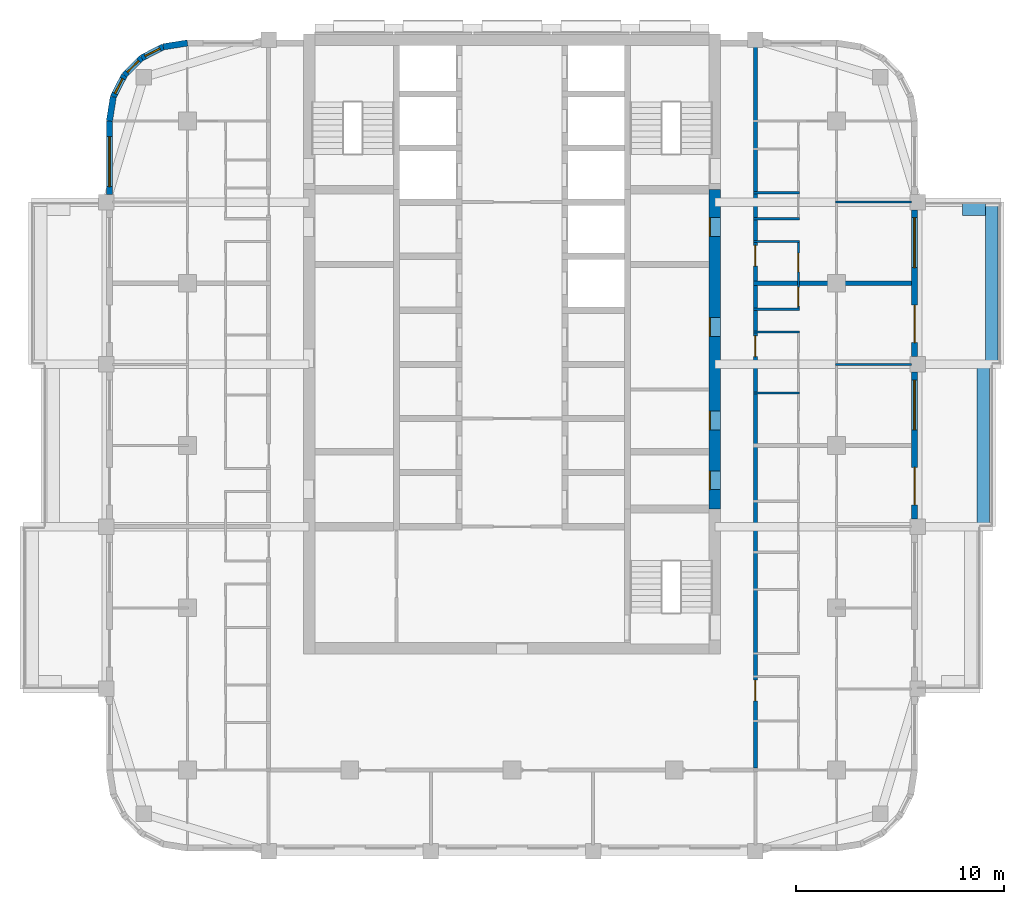
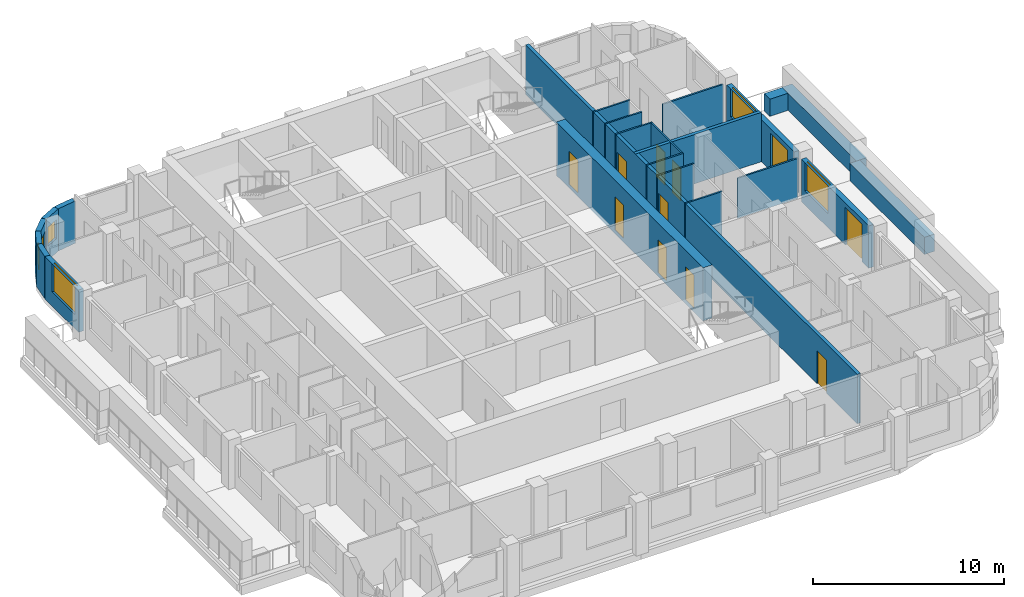
# One storey, part 7 of 13: 23 walls, 11 doors, 6 windows, 17 openings.
"""IFC4 building model written with IfcOpenShell, lengths in metres."""

from ifc_helpers import new_model, si_unit, direction, frame, frame_2d, origin, place, context, subcontext, project, spatial, rectangle, extrude, material, layer, layer_set, type_object, element, fill, save


model = new_model("IFC4")

# Units and contexts
model_context = context("Model", 3, precision=1e-05, world=origin(), true_north=direction((0.0, 1.0)))
body_context = subcontext(model_context, "Body", "Model", "MODEL_VIEW")
ifc_project = project(units=[si_unit("LENGTHUNIT", "METRE"), si_unit("AREAUNIT", "SQUARE_METRE"), si_unit("VOLUMEUNIT", "CUBIC_METRE"), si_unit("PLANEANGLEUNIT", "RADIAN"), si_unit("MASSUNIT", "GRAM", prefix="KILO")], contexts=[model_context])

# Site, building, storey
site_placement = place(None, origin())
site = spatial("IfcSite", under=ifc_project, at=site_placement, CompositionType="ELEMENT")
building_placement = place(site_placement, origin())
building = spatial("IfcBuilding", under=site, at=building_placement, Name="Ludao Terraces", CompositionType="ELEMENT")
storey_placement = place(building_placement, frame((0.0, 0.0, 152.0)))
storey = spatial("IfcBuildingStorey", under=building, at=storey_placement, Name="L41", CompositionType="ELEMENT", Elevation=152.0)

# Wall, openings, doors
ifc_material_1 = material(Name="Concrete C60", Category="concrete")
ifc_layer_1 = layer(ifc_material_1, 0.550048828125)
ifc_layer_set_1 = layer_set([ifc_layer_1], Name="Core wall 550 C60")
wall_type_1 = type_object("IfcWallType", Name="Core wall 550 C60", PredefinedType="SOLIDWALL", material=ifc_layer_set_1)
wall_1_placement = place(storey_placement, frame((94.75, 61.949951171875, -0.25), z_axis=(0.0, 0.0, 1.0), x_axis=(0.0, 1.0, 0.0)))
wall_1 = element("IfcWall", 1, at=wall_1_placement, inside=storey, type_object=wall_type_1, Name="Core wall L41 outer-E", PredefinedType="SOLIDWALL", context=body_context, shape_type="SweptSolid", body=[
    extrude(rectangle(XDim=15.35009765625, YDim=0.550048828125, at=frame_2d((7.675048828125, 0.0))), origin(), (0.0, 0.0, 1.0), 3.39990234375),
])
opening_1_placement = place(wall_1_placement, frame((0.925048828125, 0.0, 0.25)))
opening_1 = element("IfcOpeningElement", 2, at=opening_1_placement, cuts=wall_1, Name="Opening R14-036", PredefinedType="OPENING", context=body_context, shape_type="SweptSolid", body=[
    extrude(rectangle(XDim=0.89990234375, YDim=2.10009765625, at=frame_2d((0.449951171875, 1.050048828125))), frame((0.0, 0.28515625, 0.0), z_axis=(0.0, -1.0, 0.0), x_axis=(1.0, 0.0, 0.0)), (0.0, 0.0, 1.0), 0.570068359375),
])
opening_2_placement = place(wall_1_placement, frame((3.800048828125, 0.0, 0.25)))
opening_2 = element("IfcOpeningElement", 3, at=opening_2_placement, cuts=wall_1, Name="Opening R14-042", PredefinedType="OPENING", context=body_context, shape_type="SweptSolid", body=[
    extrude(rectangle(XDim=0.89990234375, YDim=2.10009765625, at=frame_2d((0.449951171875, 1.050048828125))), frame((0.0, 0.28515625, 0.0), z_axis=(0.0, -1.0, 0.0), x_axis=(1.0, 0.0, 0.0)), (0.0, 0.0, 1.0), 0.570068359375),
])
opening_3_placement = place(wall_1_placement, frame((8.300048828125, 0.0, 0.25)))
opening_3 = element("IfcOpeningElement", 4, at=opening_3_placement, cuts=wall_1, Name="Opening R14-055", PredefinedType="OPENING", context=body_context, shape_type="SweptSolid", body=[
    extrude(rectangle(XDim=0.89990234375, YDim=2.10009765625, at=frame_2d((0.449951171875, 1.050048828125))), frame((0.0, 0.28515625, 0.0), z_axis=(0.0, -1.0, 0.0), x_axis=(1.0, 0.0, 0.0)), (0.0, 0.0, 1.0), 0.570068359375),
])
opening_4_placement = place(wall_1_placement, frame((13.10009765625, 0.0, 0.25)))
opening_4 = element("IfcOpeningElement", 5, at=opening_4_placement, cuts=wall_1, Name="Opening R14-070", PredefinedType="OPENING", context=body_context, shape_type="SweptSolid", body=[
    extrude(rectangle(XDim=0.89990234375, YDim=2.10009765625, at=frame_2d((0.449951171875, 1.050048828125))), frame((0.0, 0.28515625, 0.0), z_axis=(0.0, -1.0, 0.0), x_axis=(1.0, 0.0, 0.0)), (0.0, 0.0, 1.0), 0.570068359375),
])
ifc_material_2 = material(Name="Steel Q235", Category="steel")
door_type_1 = type_object("IfcDoorType", Name="INT Riser door 900", OperationType="SINGLE_SWING_LEFT", PredefinedType="DOOR", material=ifc_material_2)
door_1_placement = place(opening_1_placement, origin())
door_1 = element("IfcDoor", 6, at=door_1_placement, inside=storey, type_object=door_type_1, Name="DOOR 036", OperationType="SINGLE_SWING_LEFT", OverallHeight=2.10009765625, OverallWidth=0.89990234375, PredefinedType="DOOR", context=body_context, shape_type="SweptSolid", body=[
    extrude(rectangle(XDim=0.89990234375, YDim=2.10009765625, at=frame_2d((0.449951171875, 1.050048828125))), frame((0.0, 0.26025390625, 0.0), z_axis=(0.0, -1.0, 0.0), x_axis=(1.0, 0.0, 0.0)), (0.0, 0.0, 1.0), 0.050048828125),
])
fill(opening_1, door_1)
door_2_placement = place(opening_4_placement, origin())
door_2 = element("IfcDoor", 7, at=door_2_placement, inside=storey, type_object=door_type_1, Name="DOOR 070", OperationType="SINGLE_SWING_RIGHT", OverallHeight=2.10009765625, OverallWidth=0.89990234375, PredefinedType="DOOR", context=body_context, shape_type="SweptSolid", body=[
    extrude(rectangle(XDim=0.89990234375, YDim=2.10009765625, at=frame_2d((0.449951171875, 1.050048828125))), frame((0.0, 0.26025390625, 0.0), z_axis=(0.0, -1.0, 0.0), x_axis=(1.0, 0.0, 0.0)), (0.0, 0.0, 1.0), 0.050048828125),
])
fill(opening_4, door_2)
ifc_material_3 = material(Name="Timber door leaf", Category="wood")
door_type_2 = type_object("IfcDoorType", Name="INT Room door 900", OperationType="SINGLE_SWING_LEFT", PredefinedType="DOOR", material=ifc_material_3)
door_3_placement = place(opening_2_placement, origin())
door_3 = element("IfcDoor", 8, at=door_3_placement, inside=storey, type_object=door_type_2, Name="DOOR 042", OperationType="SINGLE_SWING_LEFT", OverallHeight=2.10009765625, OverallWidth=0.89990234375, PredefinedType="DOOR", context=body_context, shape_type="SweptSolid", body=[
    extrude(rectangle(XDim=0.89990234375, YDim=2.10009765625, at=frame_2d((0.449951171875, 1.050048828125))), frame((0.0, 0.26025390625, 0.0), z_axis=(0.0, -1.0, 0.0), x_axis=(1.0, 0.0, 0.0)), (0.0, 0.0, 1.0), 0.050048828125),
])
fill(opening_2, door_3)
door_4_placement = place(opening_3_placement, origin())
door_4 = element("IfcDoor", 9, at=door_4_placement, inside=storey, type_object=door_type_2, Name="DOOR 055", OperationType="SINGLE_SWING_RIGHT", OverallHeight=2.10009765625, OverallWidth=0.89990234375, PredefinedType="DOOR", context=body_context, shape_type="SweptSolid", body=[
    extrude(rectangle(XDim=0.89990234375, YDim=2.10009765625, at=frame_2d((0.449951171875, 1.050048828125))), frame((0.0, 0.26025390625, 0.0), z_axis=(0.0, -1.0, 0.0), x_axis=(1.0, 0.0, 0.0)), (0.0, 0.0, 1.0), 0.050048828125),
])
fill(opening_3, door_4)

# Walls
ifc_material_4 = material(Name="Concrete C40", Category="concrete")
ifc_layer_2 = layer(ifc_material_4, 0.60009765625)
ifc_layer_set_2 = layer_set([ifc_layer_2], Name="ENV Planter trough 600")
wall_type_2 = type_object("IfcWallType", Name="ENV Planter trough 600", PredefinedType="USERDEFINED", material=ifc_layer_set_2)
wall_2_placement = place(storey_placement, frame((107.64990234375, 61.10009765625, 0.0), z_axis=(0.0, 0.0, 1.0), x_axis=(0.0, 1.0, 0.0)))
element("IfcWall", 10, at=wall_2_placement, inside=storey, type_object=wall_type_2, Name="PL-L41-E2", ObjectType="PLANTER", PredefinedType="USERDEFINED", context=body_context, shape_type="SweptSolid", body=[
    extrude(rectangle(XDim=7.7998046875, YDim=0.60009765625, at=frame_2d((3.89990234375, 0.0))), origin(), (0.0, 0.0, 1.0), 1.10009765625),
])
wall_3_placement = place(storey_placement, frame((108.050048828125, 68.89990234375, 0.0), z_axis=(0.0, 0.0, 1.0), x_axis=(0.0, 1.0, 0.0)))
element("IfcWall", 11, at=wall_3_placement, inside=storey, type_object=wall_type_2, Name="PL-L41-E3", ObjectType="PLANTER", PredefinedType="USERDEFINED", context=body_context, shape_type="SweptSolid", body=[
    extrude(rectangle(XDim=7.800048828125, YDim=0.60009765625, at=frame_2d((3.89990234375, 0.0))), origin(), (0.0, 0.0, 1.0), 1.10009765625),
])
wall_4_placement = place(storey_placement, frame((107.75, 76.35009765625, 0.0), z_axis=(0.0, 0.0, 1.0), x_axis=(-1.0, 0.0, 0.0)))
element("IfcWall", 12, at=wall_4_placement, inside=storey, type_object=wall_type_2, Name="PL-L41-E3-SB", ObjectType="PLANTER", PredefinedType="USERDEFINED", context=body_context, shape_type="SweptSolid", body=[
    extrude(rectangle(XDim=1.10009765625, YDim=0.60009765625, at=frame_2d((0.550048828125, 0.0))), origin(), (0.0, 0.0, 1.0), 1.10009765625),
])

# Wall, openings, door, window
ifc_material_5 = material(Name="Granite cladding", Category="masonry")
ifc_layer_3 = layer(ifc_material_5, 0.0400390625, Category="stone")
ifc_material_6 = material(Name="Mineral wool")
ifc_layer_4 = layer(ifc_material_6, 0.06005859375)
ifc_layer_5 = layer(ifc_material_4, 0.199951171875, Category="concrete")
ifc_layer_set_3 = layer_set([ifc_layer_3, ifc_layer_4, ifc_layer_5], Name="ENV Stone-clad wall 300")
wall_type_3 = type_object("IfcWallType", Name="ENV Stone-clad wall 300", PredefinedType="SOLIDWALL", material=ifc_layer_set_3)
wall_5_placement = place(storey_placement, frame((104.35009765625, 61.47509765625, 0.0), z_axis=(0.0, 0.0, 1.0), x_axis=(0.0, 1.0, 0.0)))
wall_5 = element("IfcWall", 13, at=wall_5_placement, inside=storey, type_object=wall_type_3, Name="EW-L41-E3", PredefinedType="SOLIDWALL", context=body_context, shape_type="SweptSolid", body=[
    extrude(rectangle(XDim=7.0498046875, YDim=0.300048828125, at=frame_2d((3.52490234375, 0.0))), origin(), (0.0, 0.0, 1.0), 2.699951171875),
])
opening_5_placement = place(wall_5_placement, frame((0.675048828125, 0.0, 0.0)))
opening_5 = element("IfcOpeningElement", 14, at=opening_5_placement, cuts=wall_5, Name="Opening BD", PredefinedType="OPENING", context=body_context, shape_type="SweptSolid", body=[
    extrude(rectangle(XDim=1.800048828125, YDim=2.39990234375, at=frame_2d((0.89990234375, 1.199951171875))), frame((0.0, 0.16015625, 0.0), z_axis=(0.0, -1.0, 0.0), x_axis=(1.0, 0.0, 0.0)), (0.0, 0.0, 1.0), 0.320068359375),
])
opening_6_placement = place(wall_5_placement, frame((4.27490234375, 0.0, 0.89990234375)))
opening_6 = element("IfcOpeningElement", 15, at=opening_6_placement, cuts=wall_5, Name="Opening W1", PredefinedType="OPENING", context=body_context, shape_type="SweptSolid", body=[
    extrude(rectangle(XDim=2.39990234375, YDim=1.800048828125, at=frame_2d((1.199951171875, 0.89990234375))), frame((0.0, 0.16015625, 0.0), z_axis=(0.0, -1.0, 0.0), x_axis=(1.0, 0.0, 0.0)), (0.0, 0.0, 1.0), 0.320068359375),
])
ifc_material_7 = material(Name="Aluminium glazed door", Category="aluminium")
ifc_layer_6 = layer(ifc_material_7, 0.06005859375)
ifc_layer_set_4 = layer_set([ifc_layer_6], Name="ENV Balcony door BD 1800x2400")
door_type_3 = type_object("IfcDoorType", Name="ENV Balcony door BD 1800x2400", OperationType="DOUBLE_DOOR_SINGLE_SWING", PredefinedType="DOOR", material=ifc_layer_set_4)
door_5_placement = place(opening_5_placement, origin())
door_5 = element("IfcDoor", 16, at=door_5_placement, inside=storey, type_object=door_type_3, Name="BD-L41-E3-1", OperationType="DOUBLE_DOOR_SINGLE_SWING", OverallHeight=2.39990234375, OverallWidth=1.800048828125, PredefinedType="DOOR", context=body_context, shape_type="SweptSolid", body=[
    extrude(rectangle(XDim=1.800048828125, YDim=2.39990234375, at=frame_2d((0.89990234375, 1.199951171875))), frame((0.0, 0.02490234375, 0.0), z_axis=(0.0, -1.0, 0.0), x_axis=(1.0, 0.0, 0.0)), (0.0, 0.0, 1.0), 0.050048828125),
])
fill(opening_5, door_5)
ifc_material_8 = material(Name="Clear glass in aluminium frame", Category="aluminium")
ifc_layer_7 = layer(ifc_material_8, 0.06005859375)
ifc_layer_set_5 = layer_set([ifc_layer_7], Name="ENV Window W1 2400x1800")
window_type_1 = type_object("IfcWindowType", Name="ENV Window W1 2400x1800", PartitioningType="DOUBLE_PANEL_VERTICAL", PredefinedType="WINDOW", material=ifc_layer_set_5)
window_1_placement = place(opening_6_placement, origin())
window_1 = element("IfcWindow", 17, at=window_1_placement, inside=storey, type_object=window_type_1, Name="W-L41-E3-2", OverallHeight=1.800048828125, OverallWidth=2.39990234375, PartitioningType="DOUBLE_PANEL_VERTICAL", PredefinedType="WINDOW", context=body_context, shape_type="SweptSolid", body=[
    extrude(rectangle(XDim=2.39990234375, YDim=1.800048828125, at=frame_2d((1.199951171875, 0.89990234375))), frame((0.0, 0.030029296875, 0.0), z_axis=(0.0, -1.0, 0.0), x_axis=(1.0, 0.0, 0.0)), (0.0, 0.0, 1.0), 0.06005859375),
])
fill(opening_6, window_1)

wall_6_placement = place(storey_placement, frame((104.35009765625, 69.27490234375, 0.0), z_axis=(0.0, 0.0, 1.0), x_axis=(0.0, 1.0, 0.0)))
wall_6 = element("IfcWall", 18, at=wall_6_placement, inside=storey, type_object=wall_type_3, Name="EW-L41-E4", PredefinedType="SOLIDWALL", context=body_context, shape_type="SweptSolid", body=[
    extrude(rectangle(XDim=7.050048828125, YDim=0.300048828125, at=frame_2d((3.52490234375, 0.0))), origin(), (0.0, 0.0, 1.0), 2.699951171875),
])
opening_7_placement = place(wall_6_placement, frame((0.675048828125, 0.0, 0.0)))
opening_7 = element("IfcOpeningElement", 19, at=opening_7_placement, cuts=wall_6, Name="Opening BD", PredefinedType="OPENING", context=body_context, shape_type="SweptSolid", body=[
    extrude(rectangle(XDim=1.800048828125, YDim=2.39990234375, at=frame_2d((0.89990234375, 1.199951171875))), frame((0.0, 0.16015625, 0.0), z_axis=(0.0, -1.0, 0.0), x_axis=(1.0, 0.0, 0.0)), (0.0, 0.0, 1.0), 0.320068359375),
])
opening_8_placement = place(wall_6_placement, frame((4.27490234375, 0.0, 0.89990234375)))
opening_8 = element("IfcOpeningElement", 20, at=opening_8_placement, cuts=wall_6, Name="Opening W1", PredefinedType="OPENING", context=body_context, shape_type="SweptSolid", body=[
    extrude(rectangle(XDim=2.39990234375, YDim=1.800048828125, at=frame_2d((1.199951171875, 0.89990234375))), frame((0.0, 0.16015625, 0.0), z_axis=(0.0, -1.0, 0.0), x_axis=(1.0, 0.0, 0.0)), (0.0, 0.0, 1.0), 0.320068359375),
])
door_6_placement = place(opening_7_placement, origin())
door_6 = element("IfcDoor", 21, at=door_6_placement, inside=storey, type_object=door_type_3, Name="BD-L41-E4-1", OperationType="DOUBLE_DOOR_SINGLE_SWING", OverallHeight=2.39990234375, OverallWidth=1.800048828125, PredefinedType="DOOR", context=body_context, shape_type="SweptSolid", body=[
    extrude(rectangle(XDim=1.800048828125, YDim=2.39990234375, at=frame_2d((0.89990234375, 1.199951171875))), frame((0.0, 0.02490234375, 0.0), z_axis=(0.0, -1.0, 0.0), x_axis=(1.0, 0.0, 0.0)), (0.0, 0.0, 1.0), 0.050048828125),
])
fill(opening_7, door_6)
window_2_placement = place(opening_8_placement, origin())
window_2 = element("IfcWindow", 22, at=window_2_placement, inside=storey, type_object=window_type_1, Name="W-L41-E4-2", OverallHeight=1.800048828125, OverallWidth=2.39990234375, PartitioningType="DOUBLE_PANEL_VERTICAL", PredefinedType="WINDOW", context=body_context, shape_type="SweptSolid", body=[
    extrude(rectangle(XDim=2.39990234375, YDim=1.800048828125, at=frame_2d((1.199951171875, 0.89990234375))), frame((0.0, 0.030029296875, 0.0), z_axis=(0.0, -1.0, 0.0), x_axis=(1.0, 0.0, 0.0)), (0.0, 0.0, 1.0), 0.06005859375),
])
fill(opening_8, window_2)

# Wall, opening, window
wall_7_placement = place(storey_placement, frame((65.64990234375, 77.074951171875, 0.0), z_axis=(0.0, 0.0, 1.0), x_axis=(0.0, 1.0, 0.0)))
wall_7 = element("IfcWall", 23, at=wall_7_placement, inside=storey, type_object=wall_type_3, Name="EW-L41-W5", PredefinedType="SOLIDWALL", context=body_context, shape_type="SweptSolid", body=[
    extrude(rectangle(XDim=3.525146484375, YDim=0.300048828125, at=frame_2d((1.7626953125, 0.0))), origin(), (0.0, 0.0, 1.0), 2.699951171875),
])
opening_9_placement = place(wall_7_placement, frame((0.375, 0.0, 0.89990234375)))
opening_9 = element("IfcOpeningElement", 24, at=opening_9_placement, cuts=wall_7, Name="Opening W1", PredefinedType="OPENING", context=body_context, shape_type="SweptSolid", body=[
    extrude(rectangle(XDim=2.39990234375, YDim=1.800048828125, at=frame_2d((1.199951171875, 0.89990234375))), frame((0.0, 0.16015625, 0.0), z_axis=(0.0, -1.0, 0.0), x_axis=(1.0, 0.0, 0.0)), (0.0, 0.0, 1.0), 0.320068359375),
])
window_3_placement = place(opening_9_placement, origin())
window_3 = element("IfcWindow", 25, at=window_3_placement, inside=storey, type_object=window_type_1, Name="W-L41-W5-1", OverallHeight=1.800048828125, OverallWidth=2.39990234375, PartitioningType="DOUBLE_PANEL_VERTICAL", PredefinedType="WINDOW", context=body_context, shape_type="SweptSolid", body=[
    extrude(rectangle(XDim=2.39990234375, YDim=1.800048828125, at=frame_2d((1.199951171875, 0.89990234375))), frame((0.0, 0.030029296875, 0.0), z_axis=(0.0, -1.0, 0.0), x_axis=(1.0, 0.0, 0.0)), (0.0, 0.0, 1.0), 0.06005859375),
])
fill(opening_9, window_3)

# Wall
wall_8_placement = place(storey_placement, frame((69.39990234375, 84.35009765625, 0.0), z_axis=(0.0, 0.0, 1.0), x_axis=(-0.987678452879, -0.156496880861, 0.0)))
element("IfcWall", 26, at=wall_8_placement, inside=storey, type_object=wall_type_3, Name="EW-L41-NW1", PredefinedType="SOLIDWALL", context=body_context, shape_type="SweptSolid", body=[
    extrude(rectangle(XDim=1.173095703125, YDim=0.300048828125, at=frame_2d((0.58642578125, 0.0))), origin(), (0.0, 0.0, 1.0), 2.699951171875),
])

# Wall, opening, window
wall_9_placement = place(storey_placement, frame((68.2412109375, 84.16650390625, 0.0), z_axis=(0.0, 0.0, 1.0), x_axis=(-0.890988677504, -0.454025524128, 0.0)))
wall_9 = element("IfcWall", 27, at=wall_9_placement, inside=storey, type_object=wall_type_3, Name="EW-L41-NW2", PredefinedType="SOLIDWALL", context=body_context, shape_type="SweptSolid", body=[
    extrude(rectangle(XDim=1.17333984375, YDim=0.300048828125, at=frame_2d((0.586669921875, 0.0))), origin(), (0.0, 0.0, 1.0), 2.699951171875),
])
opening_10_placement = place(wall_9_placement, frame((0.1865234375, 0.0, 0.89990234375)))
opening_10 = element("IfcOpeningElement", 28, at=opening_10_placement, cuts=wall_9, Name="Opening W3", PredefinedType="OPENING", context=body_context, shape_type="SweptSolid", body=[
    extrude(rectangle(XDim=0.800048828125, YDim=1.199951171875, at=frame_2d((0.39990234375, 0.60009765625))), frame((0.0, 0.16015625, 0.0), z_axis=(0.0, -1.0, 0.0), x_axis=(1.0, 0.0, 0.0)), (0.0, 0.0, 1.0), 0.320068359375),
])
ifc_layer_8 = layer(ifc_material_8, 0.06005859375)
ifc_layer_set_6 = layer_set([ifc_layer_8], Name="ENV Window W3 800x1200")
window_type_2 = type_object("IfcWindowType", Name="ENV Window W3 800x1200", PartitioningType="SINGLE_PANEL", PredefinedType="WINDOW", material=ifc_layer_set_6)
window_4_placement = place(opening_10_placement, origin())
window_4 = element("IfcWindow", 29, at=window_4_placement, inside=storey, type_object=window_type_2, Name="W-L41-NW2", OverallHeight=1.199951171875, OverallWidth=0.800048828125, PartitioningType="SINGLE_PANEL", PredefinedType="WINDOW", context=body_context, shape_type="SweptSolid", body=[
    extrude(rectangle(XDim=0.800048828125, YDim=1.199951171875, at=frame_2d((0.39990234375, 0.60009765625))), frame((0.0, 0.030029296875, 0.0), z_axis=(0.0, -1.0, 0.0), x_axis=(1.0, 0.0, 0.0)), (0.0, 0.0, 1.0), 0.06005859375),
])
fill(opening_10, window_4)

wall_10_placement = place(storey_placement, frame((67.19580078125, 83.6337890625, 0.0), z_axis=(0.0, 0.0, 1.0), x_axis=(-0.707106781187, -0.707106781187, 0.0)))
wall_10 = element("IfcWall", 30, at=wall_10_placement, inside=storey, type_object=wall_type_3, Name="EW-L41-NW3", PredefinedType="SOLIDWALL", context=body_context, shape_type="SweptSolid", body=[
    extrude(rectangle(XDim=1.173095703125, YDim=0.300048828125, at=frame_2d((0.58642578125, 0.0))), origin(), (0.0, 0.0, 1.0), 2.699951171875),
])
opening_11_placement = place(wall_10_placement, frame((0.1865234375, 0.0, 0.89990234375)))
opening_11 = element("IfcOpeningElement", 31, at=opening_11_placement, cuts=wall_10, Name="Opening W3", PredefinedType="OPENING", context=body_context, shape_type="SweptSolid", body=[
    extrude(rectangle(XDim=0.800048828125, YDim=1.199951171875, at=frame_2d((0.39990234375, 0.60009765625))), frame((0.0, 0.16015625, 0.0), z_axis=(0.0, -1.0, 0.0), x_axis=(1.0, 0.0, 0.0)), (0.0, 0.0, 1.0), 0.320068359375),
])
window_5_placement = place(opening_11_placement, origin())
window_5 = element("IfcWindow", 32, at=window_5_placement, inside=storey, type_object=window_type_2, Name="W-L41-NW3", OverallHeight=1.199951171875, OverallWidth=0.800048828125, PartitioningType="SINGLE_PANEL", PredefinedType="WINDOW", context=body_context, shape_type="SweptSolid", body=[
    extrude(rectangle(XDim=0.800048828125, YDim=1.199951171875, at=frame_2d((0.39990234375, 0.60009765625))), frame((0.0, 0.030029296875, 0.0), z_axis=(0.0, -1.0, 0.0), x_axis=(1.0, 0.0, 0.0)), (0.0, 0.0, 1.0), 0.06005859375),
])
fill(opening_11, window_5)

wall_11_placement = place(storey_placement, frame((66.3662109375, 82.80419921875, 0.0), z_axis=(0.0, 0.0, 1.0), x_axis=(-0.454025524128, -0.890988677504, 0.0)))
wall_11 = element("IfcWall", 33, at=wall_11_placement, inside=storey, type_object=wall_type_3, Name="EW-L41-NW4", PredefinedType="SOLIDWALL", context=body_context, shape_type="SweptSolid", body=[
    extrude(rectangle(XDim=1.17333984375, YDim=0.300048828125, at=frame_2d((0.586669921875, 0.0))), origin(), (0.0, 0.0, 1.0), 2.699951171875),
])
opening_12_placement = place(wall_11_placement, frame((0.1865234375, 0.0, 0.89990234375)))
opening_12 = element("IfcOpeningElement", 34, at=opening_12_placement, cuts=wall_11, Name="Opening W3", PredefinedType="OPENING", context=body_context, shape_type="SweptSolid", body=[
    extrude(rectangle(XDim=0.800048828125, YDim=1.199951171875, at=frame_2d((0.39990234375, 0.60009765625))), frame((0.0, 0.16015625, 0.0), z_axis=(0.0, -1.0, 0.0), x_axis=(1.0, 0.0, 0.0)), (0.0, 0.0, 1.0), 0.320068359375),
])
window_6_placement = place(opening_12_placement, origin())
window_6 = element("IfcWindow", 35, at=window_6_placement, inside=storey, type_object=window_type_2, Name="W-L41-NW4", OverallHeight=1.199951171875, OverallWidth=0.800048828125, PartitioningType="SINGLE_PANEL", PredefinedType="WINDOW", context=body_context, shape_type="SweptSolid", body=[
    extrude(rectangle(XDim=0.800048828125, YDim=1.199951171875, at=frame_2d((0.39990234375, 0.60009765625))), frame((0.0, 0.030029296875, 0.0), z_axis=(0.0, -1.0, 0.0), x_axis=(1.0, 0.0, 0.0)), (0.0, 0.0, 1.0), 0.06005859375),
])
fill(opening_12, window_6)

# Wall
wall_12_placement = place(storey_placement, frame((65.83349609375, 81.7587890625, 0.0), z_axis=(0.0, 0.0, 1.0), x_axis=(-0.156496880861, -0.987678452879, 0.0)))
element("IfcWall", 36, at=wall_12_placement, inside=storey, type_object=wall_type_3, Name="EW-L41-NW5", PredefinedType="SOLIDWALL", context=body_context, shape_type="SweptSolid", body=[
    extrude(rectangle(XDim=1.173095703125, YDim=0.300048828125, at=frame_2d((0.58642578125, 0.0))), origin(), (0.0, 0.0, 1.0), 2.699951171875),
])

# Wall, openings, doors
ifc_material_9 = material(Name="Autoclaved aerated concrete block B06 A3.5", Category="concrete")
ifc_layer_9 = layer(ifc_material_9, 0.199951171875)
ifc_layer_set_7 = layer_set([ifc_layer_9], Name="INT Entrance wall 200")
wall_type_4 = type_object("IfcWallType", Name="INT Entrance wall 200", PredefinedType="PARTITIONING", material=ifc_layer_set_7)
wall_13_placement = place(storey_placement, frame((96.699951171875, 49.5, 0.0), z_axis=(0.0, 0.0, 1.0), x_axis=(0.0, 1.0, 0.0)))
wall_13 = element("IfcWall", 37, at=wall_13_placement, inside=storey, type_object=wall_type_4, Name="PW-L41-PW059", PredefinedType="PARTITIONING", context=body_context, shape_type="SweptSolid", body=[
    extrude(rectangle(XDim=34.7001953125, YDim=0.199951171875, at=frame_2d((17.35009765625, 0.0))), origin(), (0.0, 0.0, 1.0), 3.14990234375),
])
opening_13_placement = place(wall_13_placement, frame((3.22509765625, 0.0, 0.0)))
opening_13 = element("IfcOpeningElement", 38, at=opening_13_placement, cuts=wall_13, Name="Opening R14-013", PredefinedType="OPENING", context=body_context, shape_type="SweptSolid", body=[
    extrude(rectangle(XDim=1.0, YDim=2.10009765625, at=frame_2d((0.5, 1.050048828125))), frame((0.0, 0.10986328125, 0.0), z_axis=(0.0, -1.0, 0.0), x_axis=(1.0, 0.0, 0.0)), (0.0, 0.0, 1.0), 0.219970703125),
])
opening_14_placement = place(wall_13_placement, frame((19.775146484375, 0.0, 0.0)))
opening_14 = element("IfcOpeningElement", 39, at=opening_14_placement, cuts=wall_13, Name="Opening R14-052", PredefinedType="OPENING", context=body_context, shape_type="SweptSolid", body=[
    extrude(rectangle(XDim=1.0, YDim=2.10009765625, at=frame_2d((0.5, 1.050048828125))), frame((0.0, 0.10986328125, 0.0), z_axis=(0.0, -1.0, 0.0), x_axis=(1.0, 0.0, 0.0)), (0.0, 0.0, 1.0), 0.219970703125),
])
opening_15_placement = place(wall_13_placement, frame((24.125, 0.0, 0.0)))
opening_15 = element("IfcOpeningElement", 40, at=opening_15_placement, cuts=wall_13, Name="Opening R14-064", PredefinedType="OPENING", context=body_context, shape_type="SweptSolid", body=[
    extrude(rectangle(XDim=1.0, YDim=2.10009765625, at=frame_2d((0.5, 1.050048828125))), frame((0.0, 0.10986328125, 0.0), z_axis=(0.0, -1.0, 0.0), x_axis=(1.0, 0.0, 0.0)), (0.0, 0.0, 1.0), 0.219970703125),
])
door_type_4 = type_object("IfcDoorType", Name="INT Flat entrance door 1000", OperationType="SINGLE_SWING_LEFT", PredefinedType="DOOR", material=ifc_material_2)
door_7_placement = place(opening_13_placement, origin())
door_7 = element("IfcDoor", 41, at=door_7_placement, inside=storey, type_object=door_type_4, Name="DOOR 013", OperationType="SINGLE_SWING_RIGHT", OverallHeight=2.10009765625, OverallWidth=1.0, PredefinedType="DOOR", context=body_context, shape_type="SweptSolid", body=[
    extrude(rectangle(XDim=1.0, YDim=2.10009765625, at=frame_2d((0.5, 1.050048828125))), frame((0.0, 0.02490234375, 0.0), z_axis=(0.0, -1.0, 0.0), x_axis=(1.0, 0.0, 0.0)), (0.0, 0.0, 1.0), 0.050048828125),
])
fill(opening_13, door_7)
door_8_placement = place(opening_14_placement, origin())
door_8 = element("IfcDoor", 42, at=door_8_placement, inside=storey, type_object=door_type_4, Name="DOOR 052", OperationType="SINGLE_SWING_RIGHT", OverallHeight=2.10009765625, OverallWidth=1.0, PredefinedType="DOOR", context=body_context, shape_type="SweptSolid", body=[
    extrude(rectangle(XDim=1.0, YDim=2.10009765625, at=frame_2d((0.5, 1.050048828125))), frame((0.0, 0.02490234375, 0.0), z_axis=(0.0, -1.0, 0.0), x_axis=(1.0, 0.0, 0.0)), (0.0, 0.0, 1.0), 0.050048828125),
])
fill(opening_14, door_8)
door_9_placement = place(opening_15_placement, origin())
door_9 = element("IfcDoor", 43, at=door_9_placement, inside=storey, type_object=door_type_4, Name="DOOR 064", OperationType="SINGLE_SWING_RIGHT", OverallHeight=2.10009765625, OverallWidth=1.0, PredefinedType="DOOR", context=body_context, shape_type="SweptSolid", body=[
    extrude(rectangle(XDim=1.0, YDim=2.10009765625, at=frame_2d((0.5, 1.050048828125))), frame((0.0, 0.02490234375, 0.0), z_axis=(0.0, -1.0, 0.0), x_axis=(1.0, 0.0, 0.0)), (0.0, 0.0, 1.0), 0.050048828125),
])
fill(opening_15, door_9)

# Walls
ifc_material_10 = material(Name="Gypsum plasterboard", Category="gypsum")
ifc_layer_10 = layer(ifc_material_10, 0.012451171875, Category="gypsum")
ifc_layer_11 = layer(ifc_material_6, 0.06005859375, Name="insulation")
ifc_layer_12 = layer(ifc_material_2, 0.014892578125, Name="stud")
ifc_layer_13 = layer(ifc_material_10, 0.012451171875, Category="gypsum")
ifc_layer_set_8 = layer_set([ifc_layer_10, ifc_layer_11, ifc_layer_12, ifc_layer_13], Name="INT Partition 100")
wall_type_5 = type_object("IfcWallType", Name="INT Partition 100", PredefinedType="PARTITIONING", material=ifc_layer_set_8)
wall_14_placement = place(storey_placement, frame((96.60009765625, 67.530029296875, 0.0), z_axis=(0.0, 0.0, 1.0), x_axis=(1.0, 0.0, 0.0)))
element("IfcWall", 44, at=wall_14_placement, inside=storey, type_object=wall_type_5, Name="PW-L41-PW026", PredefinedType="PARTITIONING", context=body_context, shape_type="SweptSolid", body=[
    extrude(rectangle(XDim=2.219970703125, YDim=0.10009765625, at=frame_2d((1.10986328125, 0.0))), origin(), (0.0, 0.0, 1.0), 3.14990234375),
])
wall_15_placement = place(storey_placement, frame((100.550048828125, 68.89990234375, 0.0), z_axis=(0.0, 0.0, 1.0), x_axis=(1.0, 0.0, 0.0)))
element("IfcWall", 45, at=wall_15_placement, inside=storey, type_object=wall_type_5, Name="PW-L41-PW029", PredefinedType="PARTITIONING", context=body_context, shape_type="SweptSolid", body=[
    extrude(rectangle(XDim=3.650146484375, YDim=0.10009765625, at=frame_2d((1.8251953125, 0.0))), origin(), (0.0, 0.0, 1.0), 2.550048828125),
])
for number, where, z_axis, x_axis, name in (
    (46, (96.60009765625, 70.449951171875, 0.0), (0.0, 0.0, 1.0), (1.0, 0.0, 0.0), "PW-L41-PW031"),
    (47, (96.60009765625, 71.550048828125, 0.0), (0.0, 0.0, 1.0), (1.0, 0.0, 0.0), "PW-L41-PW032"),
    (48, (96.60009765625, 74.800048828125, 0.0), (0.0, 0.0, 1.0), (1.0, 0.0, 0.0), "PW-L41-PW036"),
    (49, (96.60009765625, 75.89990234375, 0.0), (0.0, 0.0, 1.0), (1.0, 0.0, 0.0), "PW-L41-PW038"),
):
    element("IfcWall", number, at=place(storey_placement, frame(where, z_axis=z_axis, x_axis=x_axis)), inside=storey, type_object=wall_type_5, Name=name, PredefinedType="PARTITIONING", context=body_context, shape_type="SweptSolid", body=[
        extrude(rectangle(XDim=2.219970703125, YDim=0.10009765625, at=frame_2d((1.10986328125, 0.0))), origin(), (0.0, 0.0, 1.0), 3.14990234375),
    ])
wall_16_placement = place(storey_placement, frame((100.550048828125, 76.699951171875, 0.0), z_axis=(0.0, 0.0, 1.0), x_axis=(1.0, 0.0, 0.0)))
element("IfcWall", 50, at=wall_16_placement, inside=storey, type_object=wall_type_5, Name="PW-L41-PW041", PredefinedType="PARTITIONING", context=body_context, shape_type="SweptSolid", body=[
    extrude(rectangle(XDim=3.650146484375, YDim=0.10009765625, at=frame_2d((1.8251953125, 0.0))), origin(), (0.0, 0.0, 1.0), 2.550048828125),
])
wall_17_placement = place(storey_placement, frame((96.60009765625, 77.14990234375, 0.0), z_axis=(0.0, 0.0, 1.0), x_axis=(1.0, 0.0, 0.0)))
element("IfcWall", 51, at=wall_17_placement, inside=storey, type_object=wall_type_5, Name="PW-L41-PW042", PredefinedType="PARTITIONING", context=body_context, shape_type="SweptSolid", body=[
    extrude(rectangle(XDim=2.219970703125, YDim=0.10009765625, at=frame_2d((1.10986328125, 0.0))), origin(), (0.0, 0.0, 1.0), 3.14990234375),
])

# Wall, openings, doors
wall_18_placement = place(storey_placement, frame((98.77001953125, 71.60009765625, 0.0), z_axis=(0.0, 0.0, 1.0), x_axis=(0.0, 1.0, 0.0)))
wall_18 = element("IfcWall", 52, at=wall_18_placement, inside=storey, type_object=wall_type_5, Name="PW-L41-PW062", PredefinedType="PARTITIONING", context=body_context, shape_type="SweptSolid", body=[
    extrude(rectangle(XDim=3.14990234375, YDim=0.10009765625, at=frame_2d((1.574951171875, 0.0))), origin(), (0.0, 0.0, 1.0), 3.14990234375),
])
opening_16_placement = place(wall_18_placement, frame((0.10009765625, 0.0, 0.0)))
opening_16 = element("IfcOpeningElement", 53, at=opening_16_placement, cuts=wall_18, Name="Opening R14-059", PredefinedType="OPENING", context=body_context, shape_type="SweptSolid", body=[
    extrude(rectangle(XDim=0.89990234375, YDim=2.10009765625, at=frame_2d((0.449951171875, 1.050048828125))), frame((0.0, 0.06005859375, 0.0), z_axis=(0.0, -1.0, 0.0), x_axis=(1.0, 0.0, 0.0)), (0.0, 0.0, 1.0), 0.1201171875),
])
opening_17_placement = place(wall_18_placement, frame((1.75, 0.0, 0.0)))
opening_17 = element("IfcOpeningElement", 54, at=opening_17_placement, cuts=wall_18, Name="Opening R14-063", PredefinedType="OPENING", context=body_context, shape_type="SweptSolid", body=[
    extrude(rectangle(XDim=0.89990234375, YDim=2.10009765625, at=frame_2d((0.449951171875, 1.050048828125))), frame((0.0, 0.06005859375, 0.0), z_axis=(0.0, -1.0, 0.0), x_axis=(1.0, 0.0, 0.0)), (0.0, 0.0, 1.0), 0.1201171875),
])
door_type_5 = type_object("IfcDoorType", Name="INT Bathroom door 900", OperationType="SINGLE_SWING_LEFT", PredefinedType="DOOR", material=ifc_material_3)
door_10_placement = place(opening_16_placement, origin())
door_10 = element("IfcDoor", 55, at=door_10_placement, inside=storey, type_object=door_type_5, Name="DOOR 059", OperationType="SINGLE_SWING_LEFT", OverallHeight=2.10009765625, OverallWidth=0.89990234375, PredefinedType="DOOR", context=body_context, shape_type="SweptSolid", body=[
    extrude(rectangle(XDim=0.89990234375, YDim=2.10009765625, at=frame_2d((0.449951171875, 1.050048828125))), frame((0.0, 0.02490234375, 0.0), z_axis=(0.0, -1.0, 0.0), x_axis=(1.0, 0.0, 0.0)), (0.0, 0.0, 1.0), 0.050048828125),
])
fill(opening_16, door_10)
door_11_placement = place(opening_17_placement, origin())
door_11 = element("IfcDoor", 56, at=door_11_placement, inside=storey, type_object=door_type_5, Name="DOOR 063", OperationType="SINGLE_SWING_LEFT", OverallHeight=2.10009765625, OverallWidth=0.89990234375, PredefinedType="DOOR", context=body_context, shape_type="SweptSolid", body=[
    extrude(rectangle(XDim=0.89990234375, YDim=2.10009765625, at=frame_2d((0.449951171875, 1.050048828125))), frame((0.0, 0.02490234375, 0.0), z_axis=(0.0, -1.0, 0.0), x_axis=(1.0, 0.0, 0.0)), (0.0, 0.0, 1.0), 0.050048828125),
])
fill(opening_17, door_11)

# Wall
ifc_layer_14 = layer(ifc_material_9, 0.199951171875)
ifc_layer_set_9 = layer_set([ifc_layer_14], Name="INT Party wall 200")
wall_type_6 = type_object("IfcWallType", Name="INT Party wall 200", PredefinedType="PARTITIONING", material=ifc_layer_set_9)
wall_19_placement = place(storey_placement, frame((96.60009765625, 72.800048828125, 0.0), z_axis=(0.0, 0.0, 1.0), x_axis=(1.0, 0.0, 0.0)))
element("IfcWall", 57, at=wall_19_placement, inside=storey, type_object=wall_type_6, Name="PW-L41-PW034", PredefinedType="PARTITIONING", context=body_context, shape_type="SweptSolid", body=[
    extrude(rectangle(XDim=7.60009765625, YDim=0.199951171875, at=frame_2d((3.800048828125, 0.0))), origin(), (0.0, 0.0, 1.0), 3.14990234375),
])

save(model, "model.ifc")
